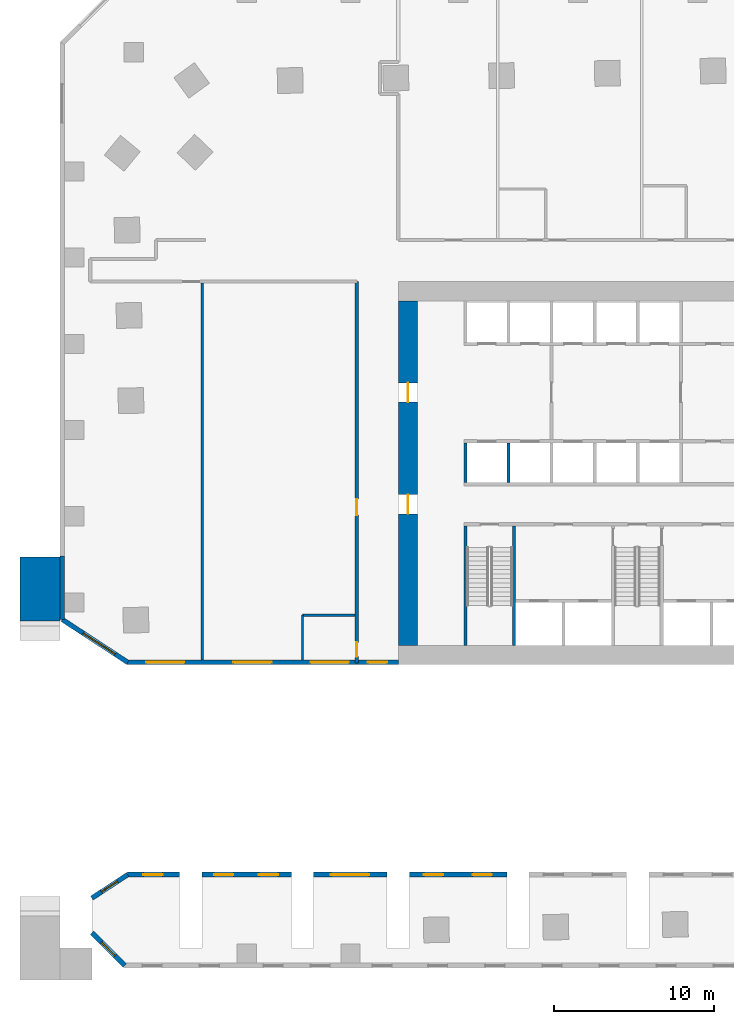
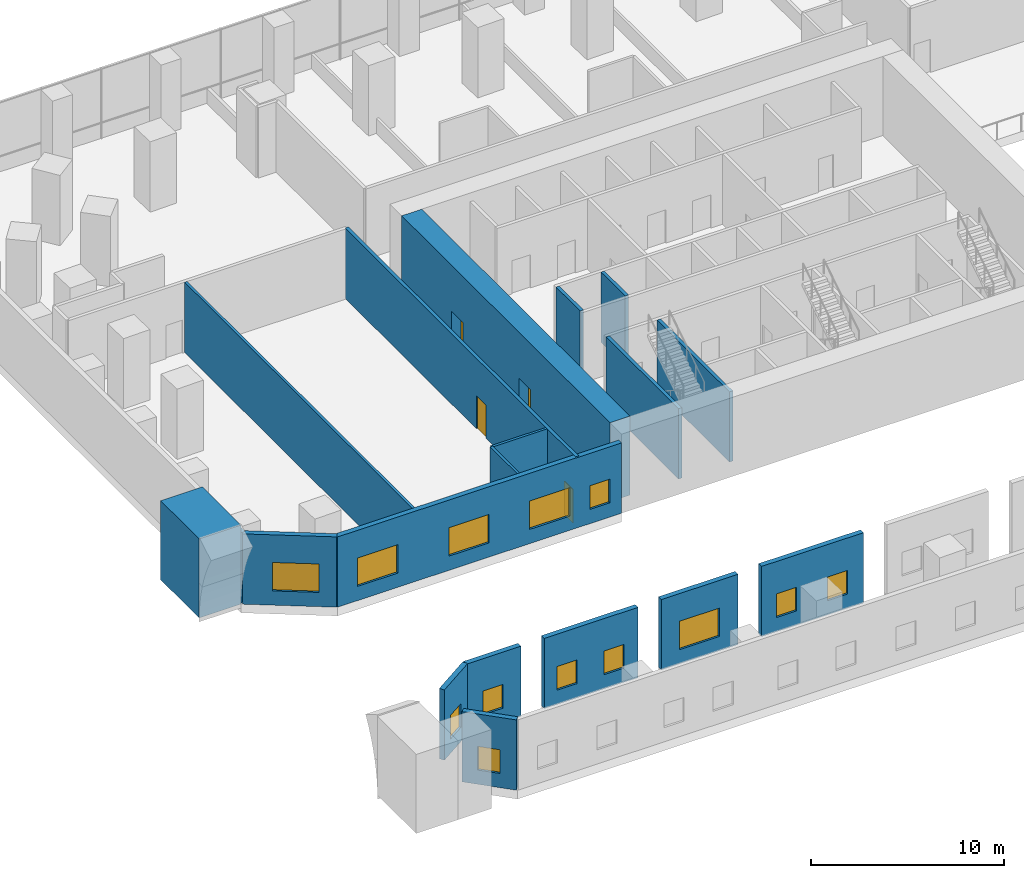
# One storey, part 5 of 12: 19 walls, 13 windows, 4 doors, 17 openings.
"""IFC4 building model written with IfcOpenShell, lengths in metres."""

from ifc_helpers import new_model, si_unit, direction, frame, frame_2d, origin, place, context, subcontext, project, spatial, rectangle, extrude, material, layer, layer_set, type_object, element, fill, save


model = new_model("IFC4")

# Units and contexts
model_context = context("Model", 3, precision=1e-05, world=origin(), true_north=direction((0.0, 1.0)))
body_context = subcontext(model_context, "Body", "Model", "MODEL_VIEW")
ifc_project = project(units=[si_unit("LENGTHUNIT", "METRE"), si_unit("AREAUNIT", "SQUARE_METRE"), si_unit("VOLUMEUNIT", "CUBIC_METRE"), si_unit("PLANEANGLEUNIT", "RADIAN"), si_unit("MASSUNIT", "GRAM", prefix="KILO")], contexts=[model_context])

# Site, building, storey
site_placement = place(None, origin())
site = spatial("IfcSite", under=ifc_project, at=site_placement, CompositionType="ELEMENT")
building_placement = place(site_placement, origin())
building = spatial("IfcBuilding", under=site, at=building_placement, Name="Mangrove Gate Tower", CompositionType="ELEMENT")
storey_placement = place(building_placement, frame((0.0, 0.0, 11.0)))
storey = spatial("IfcBuildingStorey", under=building, at=storey_placement, Name="L02", CompositionType="ELEMENT", Elevation=11.0)

# Walls
ifc_material_1 = material(Name="Concrete C70/85", Category="concrete")
ifc_layer_1 = layer(ifc_material_1, 0.199951171875)
ifc_layer_set_1 = layer_set([ifc_layer_1], Name="Core shaft wall 200 C70/85")
wall_type_1 = type_object("IfcWallType", Name="Core shaft wall 200 C70/85", PredefinedType="SHEAR", material=ifc_layer_set_1)
for number, where, z_axis, x_axis, name in (
    (1, (-10.800048828125, -0.60009765625, 0.0), (0.0, 0.0, 1.0), (0.0, 1.0, 0.0), "WALL-L02-CORE-19"),
    (2, (-8.10009765625, -0.60009765625, 0.0), (0.0, 0.0, 1.0), (0.0, 1.0, 0.0), "WALL-L02-CORE-20"),
):
    element("IfcWall", number, at=place(storey_placement, frame(where, z_axis=z_axis, x_axis=x_axis)), inside=storey, type_object=wall_type_1, Name=name, PredefinedType="SHEAR", context=body_context, shape_type="SweptSolid", body=[
        extrude(rectangle(XDim=2.5, YDim=0.199951171875, at=frame_2d((1.25, 0.0))), origin(), (0.0, 0.0, 1.0), 4.449951171875),
    ])
ifc_material_2 = material(Name="Concrete C70/85", Category="concrete")
ifc_layer_2 = layer(ifc_material_2, 0.199951171875)
ifc_layer_set_2 = layer_set([ifc_layer_2], Name="Core stair wall 200 C70/85")
wall_type_2 = type_object("IfcWallType", Name="Core stair wall 200 C70/85", PredefinedType="SHEAR", material=ifc_layer_set_2)
for number, where, z_axis, x_axis, name in (
    (3, (-10.800048828125, -10.800048828125, 0.0), (0.0, 0.0, 1.0), (0.0, 1.0, 0.0), "WALL-L02-CORE-9"),
    (4, (-7.75, -10.800048828125, 0.0), (0.0, 0.0, 1.0), (0.0, 1.0, 0.0), "WALL-L02-CORE-10"),
):
    element("IfcWall", number, at=place(storey_placement, frame(where, z_axis=z_axis, x_axis=x_axis)), inside=storey, type_object=wall_type_2, Name=name, PredefinedType="SHEAR", context=body_context, shape_type="SweptSolid", body=[
        extrude(rectangle(XDim=7.5, YDim=0.199951171875, at=frame_2d((3.75, 0.0))), origin(), (0.0, 0.0, 1.0), 4.449951171875),
    ])

# Wall, openings, doors
ifc_material_3 = material(Name="Concrete C70/85", Category="concrete")
ifc_layer_3 = layer(ifc_material_3, 1.199951171875)
ifc_layer_set_3 = layer_set([ifc_layer_3], Name="Core wall 1200 C70/85")
wall_type_3 = type_object("IfcWallType", Name="Core wall 1200 C70/85", PredefinedType="SHEAR", material=ifc_layer_set_3)
wall_1_placement = place(storey_placement, frame((-14.39990234375, -10.800048828125, 0.0), z_axis=(0.0, 0.0, 1.0), x_axis=(0.0, 1.0, 0.0)))
wall_1 = element("IfcWall", 5, at=wall_1_placement, inside=storey, type_object=wall_type_3, Name="WALL-L02-CORE-3", PredefinedType="SHEAR", context=body_context, shape_type="SweptSolid", body=[
    extrude(rectangle(XDim=21.60009765625, YDim=1.199951171875, at=frame_2d((10.800048828125, 0.0))), origin(), (0.0, 0.0, 1.0), 5.0),
])
opening_1_placement = place(wall_1_placement, frame((8.25, 0.0, 0.0)))
opening_1 = element("IfcOpeningElement", 6, at=opening_1_placement, cuts=wall_1, Name="Opening CD", PredefinedType="OPENING", context=body_context, shape_type="SweptSolid", body=[
    extrude(rectangle(XDim=1.199951171875, YDim=2.10009765625, at=frame_2d((0.60009765625, 1.050048828125))), frame((0.0, 0.60986328125, 0.0), z_axis=(0.0, -1.0, 0.0), x_axis=(1.0, 0.0, 0.0)), (0.0, 0.0, 1.0), 1.219970703125),
])
opening_2_placement = place(wall_1_placement, frame((15.25, 0.0, 0.0)))
opening_2 = element("IfcOpeningElement", 7, at=opening_2_placement, cuts=wall_1, Name="Opening CD", PredefinedType="OPENING", context=body_context, shape_type="SweptSolid", body=[
    extrude(rectangle(XDim=1.199951171875, YDim=2.10009765625, at=frame_2d((0.60009765625, 1.050048828125))), frame((0.0, 0.60986328125, 0.0), z_axis=(0.0, -1.0, 0.0), x_axis=(1.0, 0.0, 0.0)), (0.0, 0.0, 1.0), 1.219970703125),
])
ifc_material_4 = material(Name="Fire-rated steel door set", Category="steel")
door_type_1 = type_object("IfcDoorType", Name="Core ring door FD60 1200x2100", OperationType="DOUBLE_DOOR_SINGLE_SWING", PredefinedType="DOOR", material=ifc_material_4)
door_1_placement = place(opening_1_placement, origin())
door_1 = element("IfcDoor", 8, at=door_1_placement, inside=storey, type_object=door_type_1, Name="Core ring door W1", OperationType="DOUBLE_DOOR_SINGLE_SWING", OverallHeight=2.10009765625, OverallWidth=1.199951171875, PredefinedType="DOOR", context=body_context, shape_type="SweptSolid", body=[
    extrude(rectangle(XDim=1.199951171875, YDim=2.10009765625, at=frame_2d((0.60009765625, 1.050048828125))), frame((0.0, 0.02490234375, 0.0), z_axis=(0.0, -1.0, 0.0), x_axis=(1.0, 0.0, 0.0)), (0.0, 0.0, 1.0), 0.050048828125),
])
fill(opening_1, door_1)
door_2_placement = place(opening_2_placement, origin())
door_2 = element("IfcDoor", 9, at=door_2_placement, inside=storey, type_object=door_type_1, Name="Core ring door W2", OperationType="DOUBLE_DOOR_SINGLE_SWING", OverallHeight=2.10009765625, OverallWidth=1.199951171875, PredefinedType="DOOR", context=body_context, shape_type="SweptSolid", body=[
    extrude(rectangle(XDim=1.199951171875, YDim=2.10009765625, at=frame_2d((0.60009765625, 1.050048828125))), frame((0.0, 0.02490234375, 0.0), z_axis=(0.0, -1.0, 0.0), x_axis=(1.0, 0.0, 0.0)), (0.0, 0.0, 1.0), 0.050048828125),
])
fill(opening_2, door_2)

ifc_material_5 = material(Name="Gypsum board on steel stud, EI 60", Category="steel")
ifc_layer_4 = layer(ifc_material_5, 0.199951171875)
ifc_layer_set_4 = layer_set([ifc_layer_4], Name="Corridor wall EI 60")
wall_type_4 = type_object("IfcWallType", Name="Corridor wall EI 60", PredefinedType="PARTITIONING", material=ifc_layer_set_4)
wall_2_placement = place(storey_placement, frame((-17.60009765625, -11.89990234375, 0.0), z_axis=(0.0, 0.0, 1.0), x_axis=(0.0, 1.0, 0.0)))
wall_2 = element("IfcWall", 10, at=wall_2_placement, inside=storey, type_object=wall_type_4, Name="WALL-L02-003", PredefinedType="PARTITIONING", context=body_context, shape_type="SweptSolid", body=[
    extrude(rectangle(XDim=23.89990234375, YDim=0.199951171875, at=frame_2d((11.949951171875, 0.0))), origin(), (0.0, 0.0, 1.0), 4.449951171875),
])
opening_3_placement = place(wall_2_placement, frame((9.27001953125, 0.0, 0.0)))
opening_3 = element("IfcOpeningElement", 11, at=opening_3_placement, cuts=wall_2, Name="Opening AD", PredefinedType="OPENING", context=body_context, shape_type="SweptSolid", body=[
    extrude(rectangle(XDim=1.0, YDim=2.10009765625, at=frame_2d((0.5, 1.050048828125))), frame((0.0, 0.10986328125, 0.0), z_axis=(0.0, -1.0, 0.0), x_axis=(1.0, 0.0, 0.0)), (0.0, 0.0, 1.0), 0.219970703125),
])
opening_4_placement = place(wall_2_placement, frame((0.39990234375, 0.0, 0.0)))
opening_4 = element("IfcOpeningElement", 12, at=opening_4_placement, cuts=wall_2, Name="Opening SD", PredefinedType="OPENING", context=body_context, shape_type="SweptSolid", body=[
    extrude(rectangle(XDim=0.89990234375, YDim=2.10009765625, at=frame_2d((0.449951171875, 1.050048828125))), frame((0.0, 0.10986328125, 0.0), z_axis=(0.0, -1.0, 0.0), x_axis=(1.0, 0.0, 0.0)), (0.0, 0.0, 1.0), 0.219970703125),
])
ifc_material_6 = material(Name="Timber door leaf", Category="wood")
door_type_2 = type_object("IfcDoorType", Name="Amenity door 1000", OperationType="SINGLE_SWING_LEFT", PredefinedType="DOOR", material=ifc_material_6)
door_3_placement = place(opening_3_placement, origin())
door_3 = element("IfcDoor", 13, at=door_3_placement, inside=storey, type_object=door_type_2, Name="DOOR-L02-POD-01", OperationType="SINGLE_SWING_LEFT", OverallHeight=2.10009765625, OverallWidth=1.0, PredefinedType="DOOR", context=body_context, shape_type="SweptSolid", body=[
    extrude(rectangle(XDim=1.0, YDim=2.10009765625, at=frame_2d((0.5, 1.050048828125))), frame((0.0, 0.02490234375, 0.0), z_axis=(0.0, -1.0, 0.0), x_axis=(1.0, 0.0, 0.0)), (0.0, 0.0, 1.0), 0.050048828125),
])
fill(opening_3, door_3)
ifc_material_7 = material(Name="Timber door leaf", Category="wood")
door_type_3 = type_object("IfcDoorType", Name="Service room door 900", OperationType="SINGLE_SWING_LEFT", PredefinedType="DOOR", material=ifc_material_7)
door_4_placement = place(opening_4_placement, origin())
door_4 = element("IfcDoor", 14, at=door_4_placement, inside=storey, type_object=door_type_3, Name="DOOR-L02-PSV-01", OperationType="SINGLE_SWING_LEFT", OverallHeight=2.10009765625, OverallWidth=0.89990234375, PredefinedType="DOOR", context=body_context, shape_type="SweptSolid", body=[
    extrude(rectangle(XDim=0.89990234375, YDim=2.10009765625, at=frame_2d((0.449951171875, 1.050048828125))), frame((0.0, 0.02490234375, 0.0), z_axis=(0.0, -1.0, 0.0), x_axis=(1.0, 0.0, 0.0)), (0.0, 0.0, 1.0), 0.050048828125),
])
fill(opening_4, door_4)

# Wall, openings, windows
ifc_material_8 = material(Name="Limestone", Category="masonry")
ifc_layer_5 = layer(ifc_material_8, 0.0400390625, Name="Limestone cladding")
ifc_material_9 = material(Name="Ventilated air gap")
ifc_layer_6 = layer(ifc_material_9, 0.0400390625, Name="Ventilated cavity")
ifc_material_10 = material(Name="Mineral wool insulation")
ifc_layer_7 = layer(ifc_material_10, 0.06005859375, Name="Insulation")
ifc_material_11 = material(Name="Breather membrane")
ifc_layer_8 = layer(ifc_material_11, 0.001953125, Name="Breather membrane")
ifc_material_12 = material(Name="Concrete C20/25 blockwork", Category="masonry")
ifc_layer_9 = layer(ifc_material_12, 0.14990234375, Name="Blockwork backing wall")
ifc_material_13 = material(Name="Gypsum plaster")
ifc_layer_10 = layer(ifc_material_13, 0.008056640625, Name="Internal plaster")
ifc_layer_set_5 = layer_set([ifc_layer_5, ifc_layer_6, ifc_layer_7, ifc_layer_8, ifc_layer_9, ifc_layer_10], Name="External wall 300 limestone cladding")
wall_type_5 = type_object("IfcWallType", Name="External wall 300 limestone cladding", PredefinedType="SOLIDWALL", material=ifc_layer_set_5)
wall_3_placement = place(storey_placement, frame((-8.199951171875, -25.14990234375, 0.0), z_axis=(0.0, 0.0, 1.0), x_axis=(-1.0, 0.0, 0.0)))
wall_3 = element("IfcWall", 15, at=wall_3_placement, inside=storey, type_object=wall_type_5, Name="WALL-L02-N4016", PredefinedType="SOLIDWALL", context=body_context, shape_type="SweptSolid", body=[
    extrude(rectangle(XDim=6.10009765625, YDim=0.300048828125, at=frame_2d((3.050048828125, 0.0))), origin(), (0.0, 0.0, 1.0), 4.449951171875),
])
opening_5_placement = place(wall_3_placement, frame((0.93896484375, 0.0, 0.89990234375)))
opening_5 = element("IfcOpeningElement", 16, at=opening_5_placement, cuts=wall_3, Name="Opening W1", PredefinedType="OPENING", context=body_context, shape_type="SweptSolid", body=[
    extrude(rectangle(XDim=1.199951171875, YDim=1.5, at=frame_2d((0.60009765625, 0.75))), frame((0.0, 0.159912109375, 0.0), z_axis=(0.0, -1.0, 0.0), x_axis=(1.0, 0.0, 0.0)), (0.0, 0.0, 1.0), 0.320068359375),
])
opening_6_placement = place(wall_3_placement, frame((3.992919921875, 0.0, 0.89990234375)))
opening_6 = element("IfcOpeningElement", 17, at=opening_6_placement, cuts=wall_3, Name="Opening W1", PredefinedType="OPENING", context=body_context, shape_type="SweptSolid", body=[
    extrude(rectangle(XDim=1.199951171875, YDim=1.5, at=frame_2d((0.60009765625, 0.75))), frame((0.0, 0.159912109375, 0.0), z_axis=(0.0, -1.0, 0.0), x_axis=(1.0, 0.0, 0.0)), (0.0, 0.0, 1.0), 0.320068359375),
])
ifc_material_14 = material(Name="Aluminium frame with double-glazed low-e glass", Category="aluminium")
window_type_1 = type_object("IfcWindowType", Name="Side lite 1200x1500", PartitioningType="SINGLE_PANEL", PredefinedType="WINDOW", material=ifc_material_14)
window_1_placement = place(opening_5_placement, origin())
window_1 = element("IfcWindow", 18, at=window_1_placement, inside=storey, type_object=window_type_1, Name="WIN-L02-N4016-1", OverallHeight=1.5, OverallWidth=1.199951171875, PartitioningType="SINGLE_PANEL", PredefinedType="WINDOW", context=body_context, shape_type="SweptSolid", body=[
    extrude(rectangle(XDim=1.199951171875, YDim=1.5, at=frame_2d((0.60009765625, 0.75))), frame((0.0, 0.030029296875, 0.0), z_axis=(0.0, -1.0, 0.0), x_axis=(1.0, 0.0, 0.0)), (0.0, 0.0, 1.0), 0.06005859375),
])
fill(opening_5, window_1)
window_2_placement = place(opening_6_placement, origin())
window_2 = element("IfcWindow", 19, at=window_2_placement, inside=storey, type_object=window_type_1, Name="WIN-L02-N4016-2", OverallHeight=1.5, OverallWidth=1.199951171875, PartitioningType="SINGLE_PANEL", PredefinedType="WINDOW", context=body_context, shape_type="SweptSolid", body=[
    extrude(rectangle(XDim=1.199951171875, YDim=1.5, at=frame_2d((0.60009765625, 0.75))), frame((0.0, 0.030029296875, 0.0), z_axis=(0.0, -1.0, 0.0), x_axis=(1.0, 0.0, 0.0)), (0.0, 0.0, 1.0), 0.06005859375),
])
fill(opening_6, window_2)

# Wall, opening, window
wall_4_placement = place(storey_placement, frame((-15.699951171875, -25.14990234375, 0.0), z_axis=(0.0, 0.0, 1.0), x_axis=(-1.0, 0.0, 0.0)))
wall_4 = element("IfcWall", 20, at=wall_4_placement, inside=storey, type_object=wall_type_5, Name="WALL-L02-N4017", PredefinedType="SOLIDWALL", context=body_context, shape_type="SweptSolid", body=[
    extrude(rectangle(XDim=4.60009765625, YDim=0.300048828125, at=frame_2d((2.300048828125, 0.0))), origin(), (0.0, 0.0, 1.0), 4.449951171875),
])
opening_7_placement = place(wall_4_placement, frame((1.125, 0.0, 0.89990234375)))
opening_7 = element("IfcOpeningElement", 21, at=opening_7_placement, cuts=wall_4, Name="Opening W3", PredefinedType="OPENING", context=body_context, shape_type="SweptSolid", body=[
    extrude(rectangle(XDim=2.39990234375, YDim=1.800048828125, at=frame_2d((1.199951171875, 0.89990234375))), frame((0.0, 0.159912109375, 0.0), z_axis=(0.0, -1.0, 0.0), x_axis=(1.0, 0.0, 0.0)), (0.0, 0.0, 1.0), 0.320068359375),
])
ifc_material_15 = material(Name="Aluminium frame with double-glazed low-e glass", Category="aluminium")
window_type_2 = type_object("IfcWindowType", Name="Podium window 2400x1800", PartitioningType="DOUBLE_PANEL_VERTICAL", PredefinedType="WINDOW", material=ifc_material_15)
window_3_placement = place(opening_7_placement, origin())
window_3 = element("IfcWindow", 22, at=window_3_placement, inside=storey, type_object=window_type_2, Name="WIN-L02-N4017-1", OverallHeight=1.800048828125, OverallWidth=2.39990234375, PartitioningType="DOUBLE_PANEL_VERTICAL", PredefinedType="WINDOW", context=body_context, shape_type="SweptSolid", body=[
    extrude(rectangle(XDim=2.39990234375, YDim=1.800048828125, at=frame_2d((1.199951171875, 0.89990234375))), frame((0.0, 0.030029296875, 0.0), z_axis=(0.0, -1.0, 0.0), x_axis=(1.0, 0.0, 0.0)), (0.0, 0.0, 1.0), 0.06005859375),
])
fill(opening_7, window_3)

# Wall, openings, windows
wall_5_placement = place(storey_placement, frame((-21.699951171875, -25.14990234375, 0.0), z_axis=(0.0, 0.0, 1.0), x_axis=(-1.0, 0.0, 0.0)))
wall_5 = element("IfcWall", 23, at=wall_5_placement, inside=storey, type_object=wall_type_5, Name="WALL-L02-N4018", PredefinedType="SOLIDWALL", context=body_context, shape_type="SweptSolid", body=[
    extrude(rectangle(XDim=5.60009765625, YDim=0.300048828125, at=frame_2d((2.800048828125, 0.0))), origin(), (0.0, 0.0, 1.0), 4.449951171875),
])
opening_8_placement = place(wall_5_placement, frame((0.83203125, 0.0, 0.89990234375)))
opening_8 = element("IfcOpeningElement", 24, at=opening_8_placement, cuts=wall_5, Name="Opening W1", PredefinedType="OPENING", context=body_context, shape_type="SweptSolid", body=[
    extrude(rectangle(XDim=1.199951171875, YDim=1.5, at=frame_2d((0.60009765625, 0.75))), frame((0.0, 0.159912109375, 0.0), z_axis=(0.0, -1.0, 0.0), x_axis=(1.0, 0.0, 0.0)), (0.0, 0.0, 1.0), 0.320068359375),
])
opening_9_placement = place(wall_5_placement, frame((3.635986328125, 0.0, 0.89990234375)))
opening_9 = element("IfcOpeningElement", 25, at=opening_9_placement, cuts=wall_5, Name="Opening W1", PredefinedType="OPENING", context=body_context, shape_type="SweptSolid", body=[
    extrude(rectangle(XDim=1.199951171875, YDim=1.5, at=frame_2d((0.60009765625, 0.75))), frame((0.0, 0.159912109375, 0.0), z_axis=(0.0, -1.0, 0.0), x_axis=(1.0, 0.0, 0.0)), (0.0, 0.0, 1.0), 0.320068359375),
])
window_4_placement = place(opening_8_placement, origin())
window_4 = element("IfcWindow", 26, at=window_4_placement, inside=storey, type_object=window_type_1, Name="WIN-L02-N4018-1", OverallHeight=1.5, OverallWidth=1.199951171875, PartitioningType="SINGLE_PANEL", PredefinedType="WINDOW", context=body_context, shape_type="SweptSolid", body=[
    extrude(rectangle(XDim=1.199951171875, YDim=1.5, at=frame_2d((0.60009765625, 0.75))), frame((0.0, 0.030029296875, 0.0), z_axis=(0.0, -1.0, 0.0), x_axis=(1.0, 0.0, 0.0)), (0.0, 0.0, 1.0), 0.06005859375),
])
fill(opening_8, window_4)
window_5_placement = place(opening_9_placement, origin())
window_5 = element("IfcWindow", 27, at=window_5_placement, inside=storey, type_object=window_type_1, Name="WIN-L02-N4018-2", OverallHeight=1.5, OverallWidth=1.199951171875, PartitioningType="SINGLE_PANEL", PredefinedType="WINDOW", context=body_context, shape_type="SweptSolid", body=[
    extrude(rectangle(XDim=1.199951171875, YDim=1.5, at=frame_2d((0.60009765625, 0.75))), frame((0.0, 0.030029296875, 0.0), z_axis=(0.0, -1.0, 0.0), x_axis=(1.0, 0.0, 0.0)), (0.0, 0.0, 1.0), 0.06005859375),
])
fill(opening_9, window_5)

# Wall, opening, window
wall_6_placement = place(storey_placement, frame((-28.699951171875, -25.14990234375, 0.0), z_axis=(0.0, 0.0, 1.0), x_axis=(-1.0, 0.0, 0.0)))
wall_6 = element("IfcWall", 28, at=wall_6_placement, inside=storey, type_object=wall_type_5, Name="WALL-L02-N4019", PredefinedType="SOLIDWALL", context=body_context, shape_type="SweptSolid", body=[
    extrude(rectangle(XDim=3.255126953125, YDim=0.300048828125, at=frame_2d((1.62744140625, 0.0))), origin(), (0.0, 0.0, 1.0), 4.449951171875),
])
opening_10_placement = place(wall_6_placement, frame((1.070068359375, 0.0, 0.89990234375)))
opening_10 = element("IfcOpeningElement", 29, at=opening_10_placement, cuts=wall_6, Name="Opening W1", PredefinedType="OPENING", context=body_context, shape_type="SweptSolid", body=[
    extrude(rectangle(XDim=1.199951171875, YDim=1.5, at=frame_2d((0.60009765625, 0.75))), frame((0.0, 0.159912109375, 0.0), z_axis=(0.0, -1.0, 0.0), x_axis=(1.0, 0.0, 0.0)), (0.0, 0.0, 1.0), 0.320068359375),
])
window_6_placement = place(opening_10_placement, origin())
window_6 = element("IfcWindow", 30, at=window_6_placement, inside=storey, type_object=window_type_1, Name="WIN-L02-N4019-1", OverallHeight=1.5, OverallWidth=1.199951171875, PartitioningType="SINGLE_PANEL", PredefinedType="WINDOW", context=body_context, shape_type="SweptSolid", body=[
    extrude(rectangle(XDim=1.199951171875, YDim=1.5, at=frame_2d((0.60009765625, 0.75))), frame((0.0, 0.030029296875, 0.0), z_axis=(0.0, -1.0, 0.0), x_axis=(1.0, 0.0, 0.0)), (0.0, 0.0, 1.0), 0.06005859375),
])
fill(opening_10, window_6)

wall_7_placement = place(storey_placement, frame((-31.955078125, -25.14990234375, 0.0), z_axis=(0.0, 0.0, 1.0), x_axis=(-0.83655747026, -0.547879182806, 0.0)))
wall_7 = element("IfcWall", 31, at=wall_7_placement, inside=storey, type_object=wall_type_5, Name="WALL-L02-N2", PredefinedType="SOLIDWALL", context=body_context, shape_type="SweptSolid", body=[
    extrude(rectangle(XDim=2.683349609375, YDim=0.300048828125, at=frame_2d((1.341796875, 0.0))), origin(), (0.0, 0.0, 1.0), 4.449951171875),
])
opening_11_placement = place(wall_7_placement, frame((0.76904296875, 0.0, 0.89990234375)))
opening_11 = element("IfcOpeningElement", 32, at=opening_11_placement, cuts=wall_7, Name="Opening W1", PredefinedType="OPENING", context=body_context, shape_type="SweptSolid", body=[
    extrude(rectangle(XDim=1.199951171875, YDim=1.5, at=frame_2d((0.60009765625, 0.75))), frame((0.0, 0.159912109375, 0.0), z_axis=(0.0, -1.0, 0.0), x_axis=(1.0, 0.0, 0.0)), (0.0, 0.0, 1.0), 0.320068359375),
])
window_7_placement = place(opening_11_placement, origin())
window_7 = element("IfcWindow", 33, at=window_7_placement, inside=storey, type_object=window_type_1, Name="WIN-L02-N2-1", OverallHeight=1.5, OverallWidth=1.199951171875, PartitioningType="SINGLE_PANEL", PredefinedType="WINDOW", context=body_context, shape_type="SweptSolid", body=[
    extrude(rectangle(XDim=1.199951171875, YDim=1.5, at=frame_2d((0.60009765625, 0.75))), frame((0.0, 0.030029296875, 0.0), z_axis=(0.0, -1.0, 0.0), x_axis=(1.0, 0.0, 0.0)), (0.0, 0.0, 1.0), 0.06005859375),
])
fill(opening_11, window_7)

wall_8_placement = place(storey_placement, frame((-34.199951171875, -28.7880859375, 0.0), z_axis=(0.0, 0.0, 1.0), x_axis=(0.707106781187, -0.707106781187, 0.0)))
wall_8 = element("IfcWall", 34, at=wall_8_placement, inside=storey, type_object=wall_type_5, Name="WALL-L02-W3", PredefinedType="SOLIDWALL", context=body_context, shape_type="SweptSolid", body=[
    extrude(rectangle(XDim=2.916015625, YDim=0.300048828125, at=frame_2d((1.4580078125, 0.0))), origin(), (0.0, 0.0, 1.0), 4.449951171875),
])
opening_12_placement = place(wall_8_placement, frame((0.844970703125, 0.0, 0.89990234375)))
opening_12 = element("IfcOpeningElement", 35, at=opening_12_placement, cuts=wall_8, Name="Opening W1", PredefinedType="OPENING", context=body_context, shape_type="SweptSolid", body=[
    extrude(rectangle(XDim=1.199951171875, YDim=1.5, at=frame_2d((0.60009765625, 0.75))), frame((0.0, 0.159912109375, 0.0), z_axis=(0.0, -1.0, 0.0), x_axis=(1.0, 0.0, 0.0)), (0.0, 0.0, 1.0), 0.320068359375),
])
window_8_placement = place(opening_12_placement, origin())
window_8 = element("IfcWindow", 36, at=window_8_placement, inside=storey, type_object=window_type_1, Name="WIN-L02-W3-1", OverallHeight=1.5, OverallWidth=1.199951171875, PartitioningType="SINGLE_PANEL", PredefinedType="WINDOW", context=body_context, shape_type="SweptSolid", body=[
    extrude(rectangle(XDim=1.199951171875, YDim=1.5, at=frame_2d((0.60009765625, 0.75))), frame((0.0, 0.030029296875, 0.0), z_axis=(0.0, -1.0, 0.0), x_axis=(1.0, 0.0, 0.0)), (0.0, 0.0, 1.0), 0.06005859375),
])
fill(opening_12, window_8)

wall_9_placement = place(storey_placement, frame((-36.050048828125, -9.1689453125, 0.0), z_axis=(0.0, 0.0, 1.0), x_axis=(0.836625876117, -0.54777471958, 0.0)))
wall_9 = element("IfcWall", 37, at=wall_9_placement, inside=storey, type_object=wall_type_5, Name="WALL-L02-S6", PredefinedType="SOLIDWALL", context=body_context, shape_type="SweptSolid", body=[
    extrude(rectangle(XDim=4.89453125, YDim=0.300048828125, at=frame_2d((2.447265625, 0.0))), origin(), (0.0, 0.0, 1.0), 4.449951171875),
])
opening_13_placement = place(wall_9_placement, frame((1.56103515625, 0.0, 0.89990234375)))
opening_13 = element("IfcOpeningElement", 38, at=opening_13_placement, cuts=wall_9, Name="Opening W3", PredefinedType="OPENING", context=body_context, shape_type="SweptSolid", body=[
    extrude(rectangle(XDim=2.39990234375, YDim=1.800048828125, at=frame_2d((1.199951171875, 0.89990234375))), frame((0.0, 0.159912109375, 0.0), z_axis=(0.0, -1.0, 0.0), x_axis=(1.0, 0.0, 0.0)), (0.0, 0.0, 1.0), 0.320068359375),
])
window_9_placement = place(opening_13_placement, origin())
window_9 = element("IfcWindow", 39, at=window_9_placement, inside=storey, type_object=window_type_2, Name="WIN-L02-S6-1", OverallHeight=1.800048828125, OverallWidth=2.39990234375, PartitioningType="DOUBLE_PANEL_VERTICAL", PredefinedType="WINDOW", context=body_context, shape_type="SweptSolid", body=[
    extrude(rectangle(XDim=2.39990234375, YDim=1.800048828125, at=frame_2d((1.199951171875, 0.89990234375))), frame((0.0, 0.030029296875, 0.0), z_axis=(0.0, -1.0, 0.0), x_axis=(1.0, 0.0, 0.0)), (0.0, 0.0, 1.0), 0.06005859375),
])
fill(opening_13, window_9)

# Wall, openings, windows
wall_10_placement = place(storey_placement, frame((-32.0, -11.85009765625, 0.0), z_axis=(0.0, 0.0, 1.0), x_axis=(1.0, 0.0, 0.0)))
wall_10 = element("IfcWall", 40, at=wall_10_placement, inside=storey, type_object=wall_type_5, Name="WALL-L02-S7", PredefinedType="SOLIDWALL", context=body_context, shape_type="SweptSolid", body=[
    extrude(rectangle(XDim=17.0, YDim=0.300048828125, at=frame_2d((8.5, 0.0))), origin(), (0.0, 0.0, 1.0), 4.449951171875),
])
opening_14_placement = place(wall_10_placement, frame((1.2041015625, 0.0, 0.89990234375)))
opening_14 = element("IfcOpeningElement", 41, at=opening_14_placement, cuts=wall_10, Name="Opening W3", PredefinedType="OPENING", context=body_context, shape_type="SweptSolid", body=[
    extrude(rectangle(XDim=2.39990234375, YDim=1.800048828125, at=frame_2d((1.199951171875, 0.89990234375))), frame((0.0, 0.159912109375, 0.0), z_axis=(0.0, -1.0, 0.0), x_axis=(1.0, 0.0, 0.0)), (0.0, 0.0, 1.0), 0.320068359375),
])
opening_15_placement = place(wall_10_placement, frame((6.659912109375, 0.0, 0.89990234375)))
opening_15 = element("IfcOpeningElement", 42, at=opening_15_placement, cuts=wall_10, Name="Opening W3", PredefinedType="OPENING", context=body_context, shape_type="SweptSolid", body=[
    extrude(rectangle(XDim=2.39990234375, YDim=1.800048828125, at=frame_2d((1.199951171875, 0.89990234375))), frame((0.0, 0.159912109375, 0.0), z_axis=(0.0, -1.0, 0.0), x_axis=(1.0, 0.0, 0.0)), (0.0, 0.0, 1.0), 0.320068359375),
])
opening_16_placement = place(wall_10_placement, frame((11.5, 0.0, 0.89990234375)))
opening_16 = element("IfcOpeningElement", 43, at=opening_16_placement, cuts=wall_10, Name="Opening W3", PredefinedType="OPENING", context=body_context, shape_type="SweptSolid", body=[
    extrude(rectangle(XDim=2.39990234375, YDim=1.800048828125, at=frame_2d((1.199951171875, 0.89990234375))), frame((0.0, 0.159912109375, 0.0), z_axis=(0.0, -1.0, 0.0), x_axis=(1.0, 0.0, 0.0)), (0.0, 0.0, 1.0), 0.320068359375),
])
opening_17_placement = place(wall_10_placement, frame((15.10009765625, 0.0, 0.89990234375)))
opening_17 = element("IfcOpeningElement", 44, at=opening_17_placement, cuts=wall_10, Name="Opening W1", PredefinedType="OPENING", context=body_context, shape_type="SweptSolid", body=[
    extrude(rectangle(XDim=1.199951171875, YDim=1.5, at=frame_2d((0.60009765625, 0.75))), frame((0.0, 0.159912109375, 0.0), z_axis=(0.0, -1.0, 0.0), x_axis=(1.0, 0.0, 0.0)), (0.0, 0.0, 1.0), 0.320068359375),
])
window_10_placement = place(opening_14_placement, origin())
window_10 = element("IfcWindow", 45, at=window_10_placement, inside=storey, type_object=window_type_2, Name="WIN-L02-S7-1", OverallHeight=1.800048828125, OverallWidth=2.39990234375, PartitioningType="DOUBLE_PANEL_VERTICAL", PredefinedType="WINDOW", context=body_context, shape_type="SweptSolid", body=[
    extrude(rectangle(XDim=2.39990234375, YDim=1.800048828125, at=frame_2d((1.199951171875, 0.89990234375))), frame((0.0, 0.030029296875, 0.0), z_axis=(0.0, -1.0, 0.0), x_axis=(1.0, 0.0, 0.0)), (0.0, 0.0, 1.0), 0.06005859375),
])
fill(opening_14, window_10)
window_11_placement = place(opening_15_placement, origin())
window_11 = element("IfcWindow", 46, at=window_11_placement, inside=storey, type_object=window_type_2, Name="WIN-L02-S7-2", OverallHeight=1.800048828125, OverallWidth=2.39990234375, PartitioningType="DOUBLE_PANEL_VERTICAL", PredefinedType="WINDOW", context=body_context, shape_type="SweptSolid", body=[
    extrude(rectangle(XDim=2.39990234375, YDim=1.800048828125, at=frame_2d((1.199951171875, 0.89990234375))), frame((0.0, 0.030029296875, 0.0), z_axis=(0.0, -1.0, 0.0), x_axis=(1.0, 0.0, 0.0)), (0.0, 0.0, 1.0), 0.06005859375),
])
fill(opening_15, window_11)
window_12_placement = place(opening_16_placement, origin())
window_12 = element("IfcWindow", 47, at=window_12_placement, inside=storey, type_object=window_type_2, Name="WIN-L02-S7-3", OverallHeight=1.800048828125, OverallWidth=2.39990234375, PartitioningType="DOUBLE_PANEL_VERTICAL", PredefinedType="WINDOW", context=body_context, shape_type="SweptSolid", body=[
    extrude(rectangle(XDim=2.39990234375, YDim=1.800048828125, at=frame_2d((1.199951171875, 0.89990234375))), frame((0.0, 0.030029296875, 0.0), z_axis=(0.0, -1.0, 0.0), x_axis=(1.0, 0.0, 0.0)), (0.0, 0.0, 1.0), 0.06005859375),
])
fill(opening_16, window_12)
window_13_placement = place(opening_17_placement, origin())
window_13 = element("IfcWindow", 48, at=window_13_placement, inside=storey, type_object=window_type_1, Name="WIN-L02-S7-4", OverallHeight=1.5, OverallWidth=1.199951171875, PartitioningType="SINGLE_PANEL", PredefinedType="WINDOW", context=body_context, shape_type="SweptSolid", body=[
    extrude(rectangle(XDim=1.199951171875, YDim=1.5, at=frame_2d((0.60009765625, 0.75))), frame((0.0, 0.030029296875, 0.0), z_axis=(0.0, -1.0, 0.0), x_axis=(1.0, 0.0, 0.0)), (0.0, 0.0, 1.0), 0.06005859375),
])
fill(opening_17, window_13)

# Walls
wall_11_placement = place(storey_placement, frame((-36.050048828125, -5.18505859375, 0.0), z_axis=(0.0, 0.0, 1.0), x_axis=(0.0, -1.0, 0.0)))
element("IfcWall", 49, at=wall_11_placement, inside=storey, type_object=wall_type_5, Name="WALL-L02-W3140", PredefinedType="SOLIDWALL", context=body_context, shape_type="SweptSolid", body=[
    extrude(rectangle(XDim=3.98388671875, YDim=0.300048828125, at=frame_2d((1.991943359375, 0.0))), origin(), (0.0, 0.0, 1.0), 4.449951171875),
])
ifc_material_16 = material(Name="Gypsum board on steel stud, EI 60", Category="steel")
ifc_layer_11 = layer(ifc_material_16, 0.14990234375)
ifc_layer_set_6 = layer_set([ifc_layer_11], Name="Party wall 150 EI 60")
wall_type_6 = type_object("IfcWallType", Name="Party wall 150 EI 60", PredefinedType="PARTITIONING", material=ifc_layer_set_6)
wall_12_placement = place(storey_placement, frame((-27.280029296875, -11.699951171875, 0.0), z_axis=(0.0, 0.0, 1.0), x_axis=(0.0, 1.0, 0.0)))
element("IfcWall", 50, at=wall_12_placement, inside=storey, type_object=wall_type_6, Name="WALL-L02-001", PredefinedType="PARTITIONING", context=body_context, shape_type="SweptSolid", body=[
    extrude(rectangle(XDim=23.599853515625, YDim=0.14990234375, at=frame_2d((11.7998046875, 0.0))), origin(), (0.0, 0.0, 1.0), 4.449951171875),
])
wall_13_placement = place(storey_placement, frame((-21.0, -11.699951171875, 0.0), z_axis=(0.0, 0.0, 1.0), x_axis=(0.0, 1.0, 0.0)))
element("IfcWall", 51, at=wall_13_placement, inside=storey, type_object=wall_type_6, Name="WALL-L02-002", PredefinedType="PARTITIONING", context=body_context, shape_type="SweptSolid", body=[
    extrude(rectangle(XDim=2.800048828125, YDim=0.14990234375, at=frame_2d((1.39990234375, 0.0))), origin(), (0.0, 0.0, 1.0), 4.449951171875),
])
wall_14_placement = place(storey_placement, frame((-21.0, -8.89990234375, 0.0), z_axis=(0.0, 0.0, 1.0), x_axis=(1.0, 0.0, 0.0)))
element("IfcWall", 52, at=wall_14_placement, inside=storey, type_object=wall_type_6, Name="WALL-L02-004", PredefinedType="PARTITIONING", context=body_context, shape_type="SweptSolid", body=[
    extrude(rectangle(XDim=3.300048828125, YDim=0.14990234375, at=frame_2d((1.64990234375, 0.0))), origin(), (0.0, 0.0, 1.0), 4.449951171875),
])
ifc_layer_12 = layer(ifc_material_8, 0.06005859375, Name="Limestone cladding")
ifc_material_17 = material(Name="Concrete C40/50", Category="concrete")
ifc_layer_13 = layer(ifc_material_17, 2.340087890625, Name="Gate core wall")
ifc_layer_14 = layer(ifc_material_8, 0.10009765625, Name="Limestone reveal lining")
ifc_layer_set_7 = layer_set([ifc_layer_12, ifc_layer_13, ifc_layer_14], Name="Stone gate wall 2500")
wall_type_7 = type_object("IfcWallType", Name="Stone gate wall 2500", PredefinedType="STANDARD", material=ifc_layer_set_7)
wall_15_placement = place(storey_placement, frame((-37.449951171875, -9.25, 0.0), z_axis=(0.0, 0.0, 1.0), x_axis=(0.0, 1.0, 0.0)))
element("IfcWall", 53, at=wall_15_placement, inside=storey, type_object=wall_type_7, Name="ARCH PIER W 2", PredefinedType="STANDARD", context=body_context, shape_type="SweptSolid", body=[
    extrude(rectangle(XDim=4.0, YDim=2.5, at=frame_2d((2.0, 0.0))), origin(), (0.0, 0.0, 1.0), 5.0),
])

save(model, "model.ifc")
